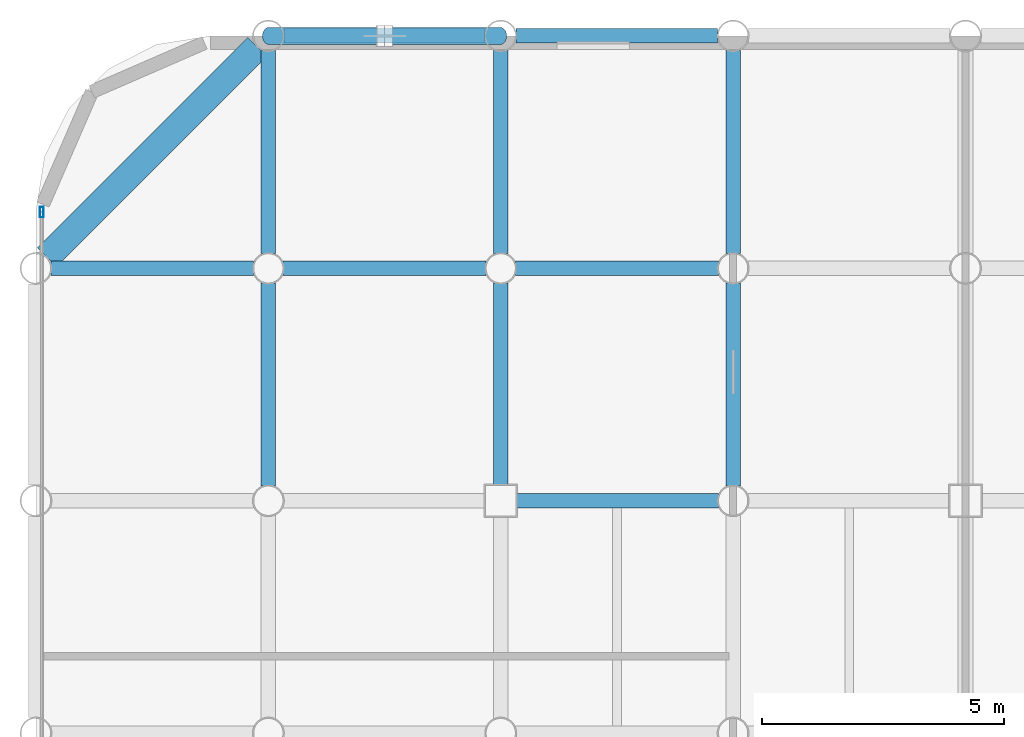
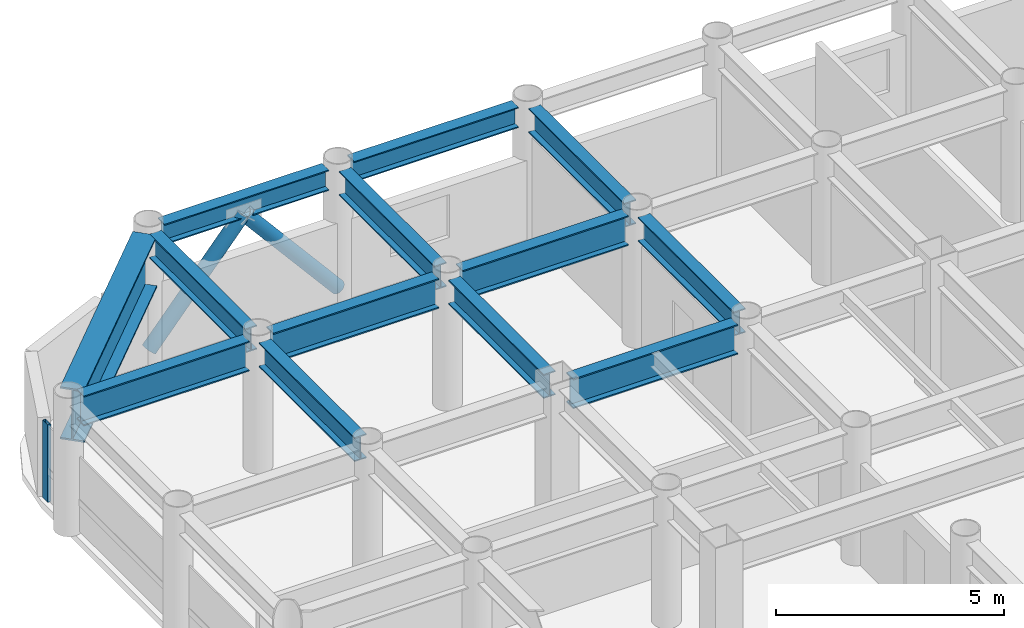
# One storey, part 10 of 19: 13 beams, 3 members, 1 element without a shape of its own.
"""IFC4 building model written with IfcOpenShell, lengths in metres."""

from ifc_helpers import new_model, si_unit, direction, frame, origin, origin_2d, place, context, subcontext, project, spatial, hollow_rectangle, hollow_circle, i_section, extrude, material, layer, layer_set, material_profile, profile_set, type_object, element, aggregate, save


model = new_model("IFC4")

# Units and contexts
model_context = context("Model", 3, precision=1e-05, world=origin(), true_north=direction((0.0, 1.0)))
body_context = subcontext(model_context, "Body", "Model", "MODEL_VIEW")
ifc_project = project(units=[si_unit("LENGTHUNIT", "METRE"), si_unit("AREAUNIT", "SQUARE_METRE"), si_unit("VOLUMEUNIT", "CUBIC_METRE"), si_unit("PLANEANGLEUNIT", "RADIAN"), si_unit("MASSUNIT", "GRAM", prefix="KILO")], contexts=[model_context])

# Site, building, storey
site_placement = place(None, origin())
site = spatial("IfcSite", under=ifc_project, at=site_placement, CompositionType="ELEMENT")
building_placement = place(site_placement, origin())
building = spatial("IfcBuilding", under=site, at=building_placement, Name="Kallvorn Hotel Tower", CompositionType="ELEMENT")
storey_placement = place(building_placement, frame((0.0, 0.0, 147.0)))
storey = spatial("IfcBuildingStorey", under=building, at=storey_placement, Name="L36", CompositionType="ELEMENT", Elevation=147.0)

# Beams
ifc_material_1 = material(Name="Structural steel S355JR", Category="steel")
ifc_material_profile_1 = material_profile(ifc_material_1, i_section(OverallWidth=0.300048828125, OverallDepth=0.550048828125, WebThickness=0.014892578125, FlangeThickness=0.029052734375, at=origin_2d()), Name="HE 550 B")
ifc_profile_set_1 = profile_set([ifc_material_profile_1], Name="Structural steel S355JR")
beam_type_1 = type_object("IfcBeamType", Name="BM_HE550B", PredefinedType="SPANDREL", material=ifc_profile_set_1)
for number, where, z_axis, x_axis, name in (
    (1, (-28.47998046875, 24.0, 3.2451171875), (1.0, 0.0, 0.0), (0.0, 1.0, 0.0), "L37 Perimeter Spandrel 163"),
    (2, (-23.679931640625, 24.0, 3.2451171875), (1.0, 0.0, 0.0), (0.0, 1.0, 0.0), "L37 Perimeter Spandrel 164"),
):
    element("IfcBeam", number, at=place(storey_placement, frame(where, z_axis=z_axis, x_axis=x_axis)), inside=storey, type_object=beam_type_1, Name=name, PredefinedType="SPANDREL", context=body_context, shape_type="SweptSolid", body=[
        extrude(i_section(OverallWidth=0.300048828125, OverallDepth=0.550048828125, WebThickness=0.014892578125, FlangeThickness=0.029052734375, at=origin_2d()), origin(), (0.0, 0.0, 1.0), 4.159912109375),
    ])
ifc_material_2 = material(Name="Structural steel S355JR", Category="steel")
ifc_material_profile_2 = material_profile(ifc_material_2, i_section(OverallWidth=0.300048828125, OverallDepth=0.64990234375, WebThickness=0.01611328125, FlangeThickness=0.031005859375, at=origin_2d()), Name="HE 650 B")
ifc_profile_set_2 = profile_set([ifc_material_profile_2], Name="Structural steel S355JR")
beam_type_2 = type_object("IfcBeamType", Name="BM_HE650B", PredefinedType="BEAM", material=ifc_profile_set_2)
beam_1_placement = place(storey_placement, frame((-28.800048828125, 14.705078125, 3.195068359375), z_axis=(0.0, 1.0, 0.0), x_axis=(-1.0, 0.0, 0.0)))
element("IfcBeam", 3, at=beam_1_placement, inside=storey, type_object=beam_type_2, Name="L37 Primary Y-Girder 80", PredefinedType="BEAM", context=body_context, shape_type="SweptSolid", body=[
    extrude(i_section(OverallWidth=0.300048828125, OverallDepth=0.64990234375, WebThickness=0.01611328125, FlangeThickness=0.031005859375, at=origin_2d()), origin(), (0.0, 0.0, 1.0), 4.18994140625),
])
beam_2_placement = place(storey_placement, frame((-28.800048828125, 19.5048828125, 3.195068359375), z_axis=(0.0, 1.0, 0.0), x_axis=(-1.0, 0.0, 0.0)))
element("IfcBeam", 4, at=beam_2_placement, inside=storey, type_object=beam_type_2, Name="L37 Primary Y-Girder 81", PredefinedType="BEAM", context=body_context, shape_type="SweptSolid", body=[
    extrude(i_section(OverallWidth=0.300048828125, OverallDepth=0.64990234375, WebThickness=0.01611328125, FlangeThickness=0.031005859375, at=origin_2d()), origin(), (0.0, 0.0, 1.0), 4.190185546875),
])
beam_3_placement = place(storey_placement, frame((-24.0, 14.72509765625, 3.195068359375), z_axis=(0.0, 1.0, 0.0), x_axis=(-1.0, 0.0, 0.0)))
element("IfcBeam", 5, at=beam_3_placement, inside=storey, type_object=beam_type_2, Name="L37 Primary Y-Girder 87", PredefinedType="BEAM", context=body_context, shape_type="SweptSolid", body=[
    extrude(i_section(OverallWidth=0.300048828125, OverallDepth=0.64990234375, WebThickness=0.01611328125, FlangeThickness=0.031005859375, at=origin_2d()), origin(), (0.0, 0.0, 1.0), 4.169921875),
])
beam_4_placement = place(storey_placement, frame((-24.0, 19.5048828125, 3.195068359375), z_axis=(0.0, 1.0, 0.0), x_axis=(-1.0, 0.0, 0.0)))
element("IfcBeam", 6, at=beam_4_placement, inside=storey, type_object=beam_type_2, Name="L37 Primary Y-Girder 88", PredefinedType="BEAM", context=body_context, shape_type="SweptSolid", body=[
    extrude(i_section(OverallWidth=0.300048828125, OverallDepth=0.64990234375, WebThickness=0.01611328125, FlangeThickness=0.031005859375, at=origin_2d()), origin(), (0.0, 0.0, 1.0), 4.190185546875),
])
beam_5_placement = place(storey_placement, frame((-19.199951171875, 14.705078125, 3.195068359375), z_axis=(0.0, 1.0, 0.0), x_axis=(-1.0, 0.0, 0.0)))
element("IfcBeam", 7, at=beam_5_placement, inside=storey, type_object=beam_type_2, Name="L37 Primary Y-Girder 96", PredefinedType="BEAM", context=body_context, shape_type="SweptSolid", body=[
    extrude(i_section(OverallWidth=0.300048828125, OverallDepth=0.64990234375, WebThickness=0.01611328125, FlangeThickness=0.031005859375, at=origin_2d()), origin(), (0.0, 0.0, 1.0), 4.18994140625),
])
beam_6_placement = place(storey_placement, frame((-19.199951171875, 19.5048828125, 3.195068359375), z_axis=(0.0, 1.0, 0.0), x_axis=(-1.0, 0.0, 0.0)))
element("IfcBeam", 8, at=beam_6_placement, inside=storey, type_object=beam_type_2, Name="L37 Primary Y-Girder 97", PredefinedType="BEAM", context=body_context, shape_type="SweptSolid", body=[
    extrude(i_section(OverallWidth=0.300048828125, OverallDepth=0.64990234375, WebThickness=0.01611328125, FlangeThickness=0.031005859375, at=origin_2d()), origin(), (0.0, 0.0, 1.0), 4.190185546875),
])
ifc_material_3 = material(Name="Structural steel S355JR", Category="steel")
ifc_material_profile_3 = material_profile(ifc_material_3, i_section(OverallWidth=0.300048828125, OverallDepth=0.800048828125, WebThickness=0.017578125, FlangeThickness=0.032958984375, at=origin_2d()), Name="HE 800 B")
ifc_profile_set_3 = profile_set([ifc_material_profile_3], Name="Structural steel S355JR")
beam_type_3 = type_object("IfcBeamType", Name="BM_HE800B", PredefinedType="BEAM", material=ifc_profile_set_3)
beam_7_placement = place(storey_placement, frame((-23.675048828125, 14.39990234375, 3.1201171875), z_axis=(1.0, 0.0, 0.0), x_axis=(0.0, 1.0, 0.0)))
element("IfcBeam", 9, at=beam_7_placement, inside=storey, type_object=beam_type_3, Name="L37 Primary X-Girder 52", PredefinedType="BEAM", context=body_context, shape_type="SweptSolid", body=[
    extrude(i_section(OverallWidth=0.300048828125, OverallDepth=0.800048828125, WebThickness=0.017578125, FlangeThickness=0.032958984375, at=origin_2d()), origin(), (0.0, 0.0, 1.0), 4.170166015625),
])
beam_8_placement = place(storey_placement, frame((-33.294921875, 19.199951171875, 3.1201171875), z_axis=(1.0, 0.0, 0.0), x_axis=(0.0, 1.0, 0.0)))
element("IfcBeam", 10, at=beam_8_placement, inside=storey, type_object=beam_type_3, Name="L37 Primary X-Girder 60", PredefinedType="BEAM", context=body_context, shape_type="SweptSolid", body=[
    extrude(i_section(OverallWidth=0.300048828125, OverallDepth=0.800048828125, WebThickness=0.017578125, FlangeThickness=0.032958984375, at=origin_2d()), origin(), (0.0, 0.0, 1.0), 4.18994140625),
])
for number, where, z_axis, x_axis, name in (
    (11, (-28.4951171875, 19.199951171875, 3.1201171875), (1.0, 0.0, 0.0), (0.0, 1.0, 0.0), "L37 Primary X-Girder 61"),
    (12, (-23.695068359375, 19.199951171875, 3.1201171875), (1.0, 0.0, 0.0), (0.0, 1.0, 0.0), "L37 Primary X-Girder 62"),
):
    element("IfcBeam", number, at=place(storey_placement, frame(where, z_axis=z_axis, x_axis=x_axis)), inside=storey, type_object=beam_type_3, Name=name, PredefinedType="BEAM", context=body_context, shape_type="SweptSolid", body=[
        extrude(i_section(OverallWidth=0.300048828125, OverallDepth=0.800048828125, WebThickness=0.017578125, FlangeThickness=0.032958984375, at=origin_2d()), origin(), (0.0, 0.0, 1.0), 4.190185546875),
    ])
ifc_material_4 = material(Name="Structural steel S355JR", Category="steel")
ifc_material_profile_4 = material_profile(ifc_material_4, i_section(OverallWidth=0.550048828125, OverallDepth=1.39990234375, WebThickness=0.02490234375, FlangeThickness=0.044921875, at=origin_2d()), Name="PG 1400x550x25x45")
ifc_profile_set_4 = profile_set([ifc_material_profile_4], Name="Structural steel S355JR")
beam_type_4 = type_object("IfcBeamType", Name="BM_PG_1400", PredefinedType="BEAM", material=ifc_profile_set_4)
beam_9_placement = place(storey_placement, frame((-33.373779296875, 19.42626953125, 2.820068359375), z_axis=(0.707106781187, 0.707106781187, 0.0), x_axis=(-0.707106781187, 0.707106781187, 0.0)))
element("IfcBeam", 13, at=beam_9_placement, inside=storey, type_object=beam_type_4, Name="L37 Rounded Corner Tie Beam 190", PredefinedType="BEAM", context=body_context, shape_type="SweptSolid", body=[
    extrude(i_section(OverallWidth=0.550048828125, OverallDepth=1.39990234375, WebThickness=0.02490234375, FlangeThickness=0.044921875, at=origin_2d()), origin(), (0.0, 0.0, 1.0), 6.148193359375),
])

# Curtain wall, member
ifc_material_5 = material(Name="Thermally broken black-anodised aluminium AA 6063-T6", Category="aluminium")
ifc_layer = layer(ifc_material_5, 0.2099609375)
ifc_layer_set = layer_set([ifc_layer], Name="CW_SYS_4_HOTEL_MID")
curtain_wall_type = type_object("IfcCurtainWallType", Name="CW_SYS_4_HOTEL_MID", PredefinedType="USERDEFINED", material=ifc_layer_set)
curtain_wall_placement = place(storey_placement, origin())
curtain_wall = element("IfcCurtainWall", 14, at=curtain_wall_placement, inside=storey, type_object=curtain_wall_type, Name="L36 Dark-Glass Curtain Wall CW-L36-WN", ObjectType="UNITISED CURTAIN WALL", PredefinedType="USERDEFINED")
ifc_material_6 = material(Name="Thermally broken black-anodised aluminium AA 6063-T6", Category="aluminium")
ifc_material_profile_5 = material_profile(ifc_material_6, hollow_rectangle(XDim=0.080078125, YDim=0.219970703125, WallThickness=0.0048828125, at=origin_2d()), Name="MUL 220x80")
ifc_profile_set_5 = profile_set([ifc_material_profile_5], Name="Thermally broken black-anodised aluminium AA 6063-T6")
member_type_1 = type_object("IfcMemberType", Name="CW_MULLION_220x80", PredefinedType="MULLION", material=ifc_profile_set_5)
member_placement = place(storey_placement, frame((-33.47998046875, 20.360107421875, 0.02001953125), z_axis=(0.0, 0.0, 1.0), x_axis=(1.0, 0.0, 0.0)))
member = element("IfcMember", 15, at=member_placement, type_object=member_type_1, Name="CW-L36-WN Mullion 01", PredefinedType="MULLION", context=body_context, shape_type="SweptSolid", body=[
    extrude(hollow_rectangle(XDim=0.080078125, YDim=0.219970703125, WallThickness=0.0048828125, at=origin_2d()), origin(), (0.0, 0.0, 1.0), 2.080078125),
])
aggregate(curtain_wall, [member])

# Members
ifc_material_7 = material(Name="Structural steel S355J2H", Category="steel")
ifc_material_profile_6 = material_profile(ifc_material_7, hollow_circle(Radius=0.177734375, WallThickness=0.01416015625, at=origin_2d()), Name="CHS 355.6x14.2")
ifc_profile_set_6 = profile_set([ifc_material_profile_6], Name="Structural steel S355J2H")
member_type_2 = type_object("IfcMemberType", Name="MBR_EXO_CHS355", PredefinedType="BRACE", material=ifc_profile_set_6)
for number, where, z_axis, x_axis, name in (
    (16, (-28.787109375, 24.0, 0.1953125), (0.646833296797, 0.0, 0.762631422218), (0.0, 1.0, 0.0), "L36 Exoskeleton K-Brace N1A"),
    (17, (-24.012939453125, 24.0, 0.1953125), (-0.646833296797, 0.0, 0.762631422218), (0.0, -1.0, 0.0), "L36 Exoskeleton K-Brace N1B"),
):
    element("IfcMember", number, at=place(storey_placement, frame(where, z_axis=z_axis, x_axis=x_axis)), inside=storey, type_object=member_type_2, Name=name, PredefinedType="BRACE", context=body_context, shape_type="SweptSolid", body=[
        extrude(hollow_circle(Radius=0.177734375, WallThickness=0.01416015625, at=origin_2d()), origin(), (0.0, 0.0, 1.0), 3.670654296875),
    ])

save(model, "model.ifc")
